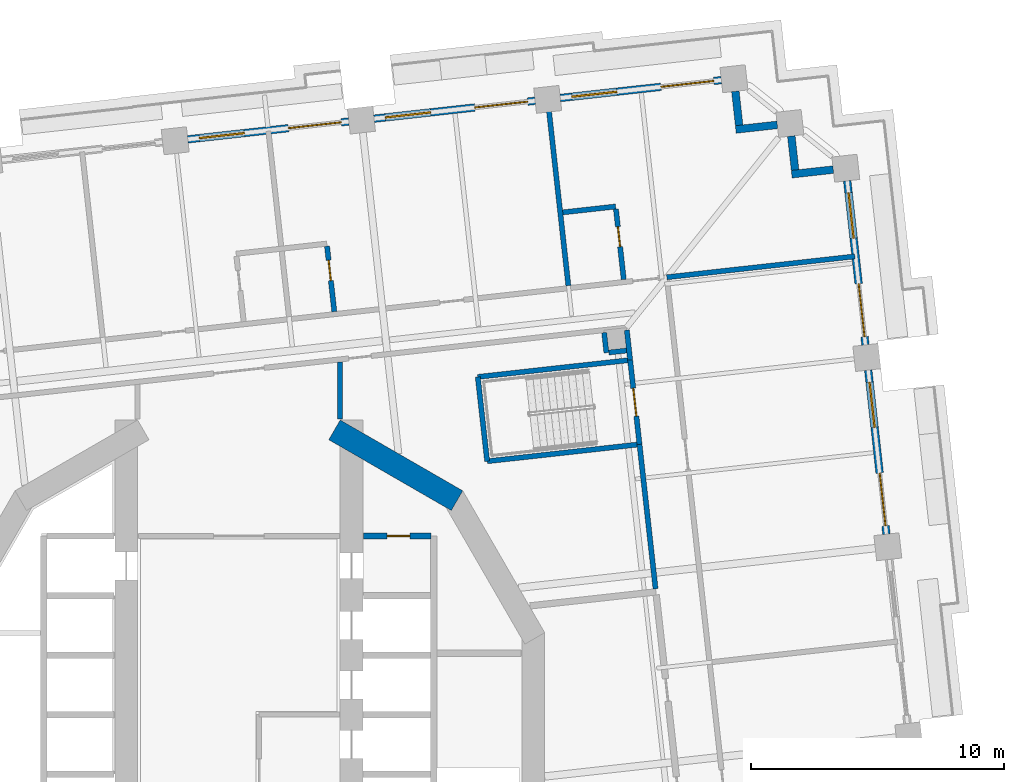
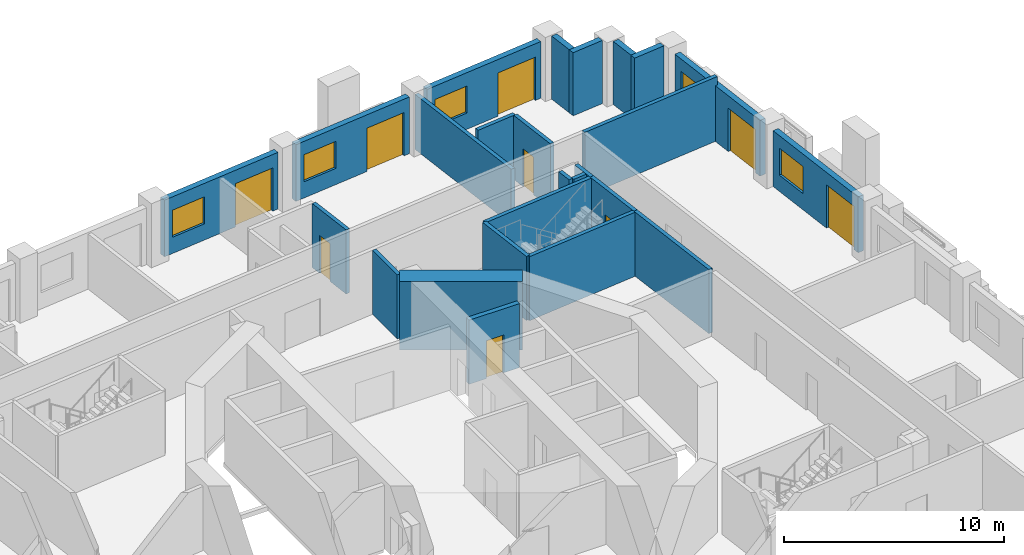
# One storey, part 9 of 18: 25 walls, 9 doors, 5 windows, 14 openings.
"""IFC4 building model written with IfcOpenShell, lengths in metres."""

from ifc_helpers import new_model, si_unit, direction, frame, frame_2d, origin, place, context, subcontext, project, spatial, rectangle, extrude, material, layer, layer_set, type_object, element, fill, save


model = new_model("IFC4")

# Units and contexts
model_context = context("Model", 3, precision=1e-05, world=origin(), true_north=direction((0.0, 1.0)))
body_context = subcontext(model_context, "Body", "Model", "MODEL_VIEW")
ifc_project = project(units=[si_unit("LENGTHUNIT", "METRE"), si_unit("AREAUNIT", "SQUARE_METRE"), si_unit("VOLUMEUNIT", "CUBIC_METRE"), si_unit("PLANEANGLEUNIT", "RADIAN"), si_unit("MASSUNIT", "GRAM", prefix="KILO")], contexts=[model_context])

# Site, building, storey
site_placement = place(None, origin())
site = spatial("IfcSite", under=ifc_project, at=site_placement, CompositionType="ELEMENT")
building_placement = place(site_placement, origin())
building = spatial("IfcBuilding", under=site, at=building_placement, Name="Cantera Rosa Tower", CompositionType="ELEMENT")
storey_placement = place(building_placement, frame((0.0, 0.0, 76.699951171875)))
storey = spatial("IfcBuildingStorey", under=building, at=storey_placement, Name="L16", CompositionType="ELEMENT", Elevation=76.699951171875)

# Walls
ifc_material_1 = material(Name="Gypsum board partition")
ifc_layer_1 = layer(ifc_material_1, 0.199951171875)
ifc_layer_set_1 = layer_set([ifc_layer_1], Name="CORRIDOR WALL 200 H3550")
wall_type_1 = type_object("IfcWallType", Name="CORRIDOR WALL 200 H3550", PredefinedType="PARTITIONING", material=ifc_layer_set_1)
wall_1_placement = place(storey_placement, frame((4.0, 11.667236328125, 0.0), z_axis=(0.0, 0.0, 1.0), x_axis=(0.0, 1.0, 0.0)))
element("IfcWall", 1, at=wall_1_placement, inside=storey, type_object=wall_type_1, Name="CORRIDOR WALL L16-060", PredefinedType="PARTITIONING", context=body_context, shape_type="SweptSolid", body=[
    extrude(rectangle(XDim=2.259765625, YDim=0.199951171875, at=frame_2d((1.1298828125, 0.0))), origin(), (0.0, 0.0, 1.0), 3.550048828125),
])
wall_2_placement = place(storey_placement, frame((15.44970703125, 14.001708984375, 0.0), z_axis=(0.0, 0.0, 1.0), x_axis=(-0.110341316069, 0.993893753863, 0.0)))
element("IfcWall", 2, at=wall_2_placement, inside=storey, type_object=wall_type_1, Name="CORRIDOR WALL L16-087", PredefinedType="PARTITIONING", context=body_context, shape_type="SweptSolid", body=[
    extrude(rectangle(XDim=1.188232421875, YDim=0.199951171875, at=frame_2d((0.59423828125, 0.0))), origin(), (0.0, 0.0, 1.0), 3.550048828125),
])
wall_3_placement = place(storey_placement, frame((16.45263671875, 4.965087890625, 0.0), z_axis=(0.0, 0.0, 1.0), x_axis=(-0.110291526896, 0.993899280156, 0.0)))
element("IfcWall", 3, at=wall_3_placement, inside=storey, type_object=wall_type_1, Name="CORRIDOR WALL L16-090", PredefinedType="PARTITIONING", context=body_context, shape_type="SweptSolid", body=[
    extrude(rectangle(XDim=5.741943359375, YDim=0.199951171875, at=frame_2d((2.87109375, 0.0))), origin(), (0.0, 0.0, 1.0), 3.550048828125),
])
ifc_material_2 = material(Name="Hollow clay masonry with cantera stone cladding", Category="masonry")
ifc_layer_2 = layer(ifc_material_2, 0.300048828125)
ifc_layer_set_2 = layer_set([ifc_layer_2], Name="EW-LOGGIA 300")
wall_type_2 = type_object("IfcWallType", Name="EW-LOGGIA 300", PredefinedType="SOLIDWALL", material=ifc_layer_set_2)
wall_4_placement = place(storey_placement, frame((23.46923828125, 21.520263671875, 0.0), z_axis=(0.0, 0.0, 1.0), x_axis=(-0.993905369514, -0.110236638423, 0.0)))
element("IfcWall", 4, at=wall_4_placement, inside=storey, type_object=wall_type_2, Name="EN-L16-W06a", PredefinedType="SOLIDWALL", context=body_context, shape_type="SweptSolid", body=[
    extrude(rectangle(XDim=1.64990234375, YDim=0.300048828125, at=frame_2d((0.824951171875, 0.0))), origin(), (0.0, 0.0, 1.0), 3.5),
])
wall_5_placement = place(storey_placement, frame((21.9619140625, 21.50390625, 0.0), z_axis=(0.0, 0.0, 1.0), x_axis=(-0.110312435488, 0.993896959738, 0.0)))
element("IfcWall", 5, at=wall_5_placement, inside=storey, type_object=wall_type_2, Name="EN-L16-W06b", PredefinedType="SOLIDWALL", context=body_context, shape_type="SweptSolid", body=[
    extrude(rectangle(XDim=1.35009765625, YDim=0.300048828125, at=frame_2d((0.675048828125, 0.0))), origin(), (0.0, 0.0, 1.0), 3.5),
])
wall_6_placement = place(storey_placement, frame((21.2607421875, 23.287353515625, 0.0), z_axis=(0.0, 0.0, 1.0), x_axis=(-0.993905369514, -0.110236638423, 0.0)))
element("IfcWall", 6, at=wall_6_placement, inside=storey, type_object=wall_type_2, Name="EN-L16-W07a", PredefinedType="SOLIDWALL", context=body_context, shape_type="SweptSolid", body=[
    extrude(rectangle(XDim=1.64990234375, YDim=0.300048828125, at=frame_2d((0.824951171875, 0.0))), origin(), (0.0, 0.0, 1.0), 3.5),
])
wall_7_placement = place(storey_placement, frame((19.75341796875, 23.27099609375, 0.0), z_axis=(0.0, 0.0, 1.0), x_axis=(-0.110312435488, 0.993896959738, 0.0)))
element("IfcWall", 7, at=wall_7_placement, inside=storey, type_object=wall_type_2, Name="EN-L16-W07b", PredefinedType="SOLIDWALL", context=body_context, shape_type="SweptSolid", body=[
    extrude(rectangle(XDim=1.35009765625, YDim=0.300048828125, at=frame_2d((0.675048828125, 0.0))), origin(), (0.0, 0.0, 1.0), 3.5),
])

# Wall, openings, window, door
ifc_material_3 = material(Name="Hollow clay masonry with cantera stone cladding", Category="masonry")
ifc_layer_3 = layer(ifc_material_3, 0.300048828125)
ifc_layer_set_3 = layer_set([ifc_layer_3], Name="EW-LOGGIA 300 H3090")
wall_type_3 = type_object("IfcWallType", Name="EW-LOGGIA 300 H3090", PredefinedType="SOLIDWALL", material=ifc_layer_set_3)
wall_8_placement = place(storey_placement, frame((25.570068359375, 7.124267578125, 0.0), z_axis=(0.0, 0.0, 1.0), x_axis=(-0.110312341265, 0.993896970196, 0.0)))
wall_8 = element("IfcWall", 8, at=wall_8_placement, inside=storey, type_object=wall_type_3, Name="EN-L16-W04", PredefinedType="SOLIDWALL", context=body_context, shape_type="SweptSolid", body=[
    extrude(rectangle(XDim=6.52001953125, YDim=0.300048828125, at=frame_2d((3.260009765625, 0.0))), origin(), (0.0, 0.0, 1.0), 3.090087890625),
])
opening_1_placement = place(wall_8_placement, frame((0.330078125, 0.0, 0.0)))
opening_1 = element("IfcOpeningElement", 9, at=opening_1_placement, cuts=wall_8, Name="Opening L16-TD07", PredefinedType="OPENING", context=body_context, shape_type="SweptSolid", body=[
    extrude(rectangle(XDim=2.10009765625, YDim=2.39990234375, at=frame_2d((1.050048828125, 1.199951171875))), frame((0.0, 0.159912109375, 0.0), z_axis=(0.0, -1.0, 0.0), x_axis=(1.0, 0.0, 0.0)), (0.0, 0.0, 1.0), 0.320068359375),
])
opening_2_placement = place(wall_8_placement, frame((4.239990234375, 0.0, 0.89990234375)))
opening_2 = element("IfcOpeningElement", 10, at=opening_2_placement, cuts=wall_8, Name="Opening L16-W08", PredefinedType="OPENING", context=body_context, shape_type="SweptSolid", body=[
    extrude(rectangle(XDim=1.800048828125, YDim=1.5, at=frame_2d((0.89990234375, 0.75))), frame((0.0, 0.159912109375, 0.0), z_axis=(0.0, -1.0, 0.0), x_axis=(1.0, 0.0, 0.0)), (0.0, 0.0, 1.0), 0.320068359375),
])
ifc_material_4 = material(Name="Aluminium frame with clear glass", Category="aluminium")
window_type = type_object("IfcWindowType", Name="Hotel room window 1800x1500", PartitioningType="DOUBLE_PANEL_VERTICAL", PredefinedType="WINDOW", material=ifc_material_4)
window_1_placement = place(opening_2_placement, origin())
window_1 = element("IfcWindow", 11, at=window_1_placement, inside=storey, type_object=window_type, Name="WINDOW L16-W08", OverallHeight=1.5, OverallWidth=1.800048828125, PartitioningType="SINGLE_PANEL", PredefinedType="WINDOW", context=body_context, shape_type="SweptSolid", body=[
    extrude(rectangle(XDim=1.800048828125, YDim=1.5, at=frame_2d((0.89990234375, 0.75))), frame((0.0, 0.030029296875, 0.0), z_axis=(0.0, -1.0, 0.0), x_axis=(1.0, 0.0, 0.0)), (0.0, 0.0, 1.0), 0.06005859375),
])
fill(opening_2, window_1)
ifc_material_5 = material(Name="Aluminium frame with clear glass", Category="aluminium")
door_type_1 = type_object("IfcDoorType", Name="TD-H 2100x2400", OperationType="NOTDEFINED", PredefinedType="DOOR", material=ifc_material_5)
door_1_placement = place(opening_1_placement, origin())
door_1 = element("IfcDoor", 12, at=door_1_placement, inside=storey, type_object=door_type_1, Name="LOGGIA DOOR L16-TD07", OperationType="SLIDING_TO_LEFT", OverallHeight=2.39990234375, OverallWidth=2.10009765625, PredefinedType="DOOR", context=body_context, shape_type="SweptSolid", body=[
    extrude(rectangle(XDim=2.10009765625, YDim=2.39990234375, at=frame_2d((1.050048828125, 1.199951171875))), frame((0.0, 0.02490234375, 0.0), z_axis=(0.0, -1.0, 0.0), x_axis=(1.0, 0.0, 0.0)), (0.0, 0.0, 1.0), 0.050048828125),
])
fill(opening_1, door_1)

wall_9_placement = place(storey_placement, frame((24.74072265625, 14.598388671875, 0.0), z_axis=(0.0, 0.0, 1.0), x_axis=(-0.110312341265, 0.993896970196, 0.0)))
wall_9 = element("IfcWall", 13, at=wall_9_placement, inside=storey, type_object=wall_type_3, Name="EN-L16-W05", PredefinedType="SOLIDWALL", context=body_context, shape_type="SweptSolid", body=[
    extrude(rectangle(XDim=6.52001953125, YDim=0.300048828125, at=frame_2d((3.260009765625, 0.0))), origin(), (0.0, 0.0, 1.0), 3.090087890625),
])
opening_3_placement = place(wall_9_placement, frame((0.330078125, 0.0, 0.0)))
opening_3 = element("IfcOpeningElement", 14, at=opening_3_placement, cuts=wall_9, Name="Opening L16-TD09", PredefinedType="OPENING", context=body_context, shape_type="SweptSolid", body=[
    extrude(rectangle(XDim=2.10009765625, YDim=2.39990234375, at=frame_2d((1.050048828125, 1.199951171875))), frame((0.0, 0.159912109375, 0.0), z_axis=(0.0, -1.0, 0.0), x_axis=(1.0, 0.0, 0.0)), (0.0, 0.0, 1.0), 0.320068359375),
])
opening_4_placement = place(wall_9_placement, frame((4.239990234375, 0.0, 0.89990234375)))
opening_4 = element("IfcOpeningElement", 15, at=opening_4_placement, cuts=wall_9, Name="Opening L16-W10", PredefinedType="OPENING", context=body_context, shape_type="SweptSolid", body=[
    extrude(rectangle(XDim=1.800048828125, YDim=1.5, at=frame_2d((0.89990234375, 0.75))), frame((0.0, 0.159912109375, 0.0), z_axis=(0.0, -1.0, 0.0), x_axis=(1.0, 0.0, 0.0)), (0.0, 0.0, 1.0), 0.320068359375),
])
window_2_placement = place(opening_4_placement, origin())
window_2 = element("IfcWindow", 16, at=window_2_placement, inside=storey, type_object=window_type, Name="WINDOW L16-W10", OverallHeight=1.5, OverallWidth=1.800048828125, PartitioningType="SINGLE_PANEL", PredefinedType="WINDOW", context=body_context, shape_type="SweptSolid", body=[
    extrude(rectangle(XDim=1.800048828125, YDim=1.5, at=frame_2d((0.89990234375, 0.75))), frame((0.0, 0.030029296875, 0.0), z_axis=(0.0, -1.0, 0.0), x_axis=(1.0, 0.0, 0.0)), (0.0, 0.0, 1.0), 0.06005859375),
])
fill(opening_4, window_2)
door_2_placement = place(opening_3_placement, origin())
door_2 = element("IfcDoor", 17, at=door_2_placement, inside=storey, type_object=door_type_1, Name="LOGGIA DOOR L16-TD09", OperationType="SLIDING_TO_LEFT", OverallHeight=2.39990234375, OverallWidth=2.10009765625, PredefinedType="DOOR", context=body_context, shape_type="SweptSolid", body=[
    extrude(rectangle(XDim=2.10009765625, YDim=2.39990234375, at=frame_2d((1.050048828125, 1.199951171875))), frame((0.0, 0.02490234375, 0.0), z_axis=(0.0, -1.0, 0.0), x_axis=(1.0, 0.0, 0.0)), (0.0, 0.0, 1.0), 0.050048828125),
])
fill(opening_3, door_2)

ifc_material_6 = material(Name="Hollow clay masonry with cantera stone cladding", Category="masonry")
ifc_layer_4 = layer(ifc_material_6, 0.300048828125)
ifc_layer_set_4 = layer_set([ifc_layer_4], Name="EW-LOGGIA 300 H3140")
wall_type_4 = type_object("IfcWallType", Name="EW-LOGGIA 300 H3140", PredefinedType="SOLIDWALL", material=ifc_layer_set_4)
wall_10_placement = place(storey_placement, frame((19.052490234375, 25.0546875, 0.0), z_axis=(0.0, 0.0, 1.0), x_axis=(-0.993896288542, -0.110318482689, 0.0)))
wall_10 = element("IfcWall", 18, at=wall_10_placement, inside=storey, type_object=wall_type_4, Name="EN-L16-W08", PredefinedType="SOLIDWALL", context=body_context, shape_type="SweptSolid", body=[
    extrude(rectangle(XDim=6.400146484375, YDim=0.300048828125, at=frame_2d((3.2001953125, 0.0))), origin(), (0.0, 0.0, 1.0), 3.14013671875),
])
opening_5_placement = place(wall_10_placement, frame((0.300048828125, 0.0, 0.0)))
opening_5 = element("IfcOpeningElement", 19, at=opening_5_placement, cuts=wall_10, Name="Opening L16-TD11", PredefinedType="OPENING", context=body_context, shape_type="SweptSolid", body=[
    extrude(rectangle(XDim=2.10009765625, YDim=2.39990234375, at=frame_2d((1.050048828125, 1.199951171875))), frame((0.0, 0.159912109375, 0.0), z_axis=(0.0, -1.0, 0.0), x_axis=(1.0, 0.0, 0.0)), (0.0, 0.0, 1.0), 0.320068359375),
])
opening_6_placement = place(wall_10_placement, frame((4.14990234375, 0.0, 0.89990234375)))
opening_6 = element("IfcOpeningElement", 20, at=opening_6_placement, cuts=wall_10, Name="Opening L16-W12", PredefinedType="OPENING", context=body_context, shape_type="SweptSolid", body=[
    extrude(rectangle(XDim=1.800048828125, YDim=1.5, at=frame_2d((0.89990234375, 0.75))), frame((0.0, 0.159912109375, 0.0), z_axis=(0.0, -1.0, 0.0), x_axis=(1.0, 0.0, 0.0)), (0.0, 0.0, 1.0), 0.320068359375),
])
window_3_placement = place(opening_6_placement, origin())
window_3 = element("IfcWindow", 21, at=window_3_placement, inside=storey, type_object=window_type, Name="WINDOW L16-W12", OverallHeight=1.5, OverallWidth=1.800048828125, PartitioningType="SINGLE_PANEL", PredefinedType="WINDOW", context=body_context, shape_type="SweptSolid", body=[
    extrude(rectangle(XDim=1.800048828125, YDim=1.5, at=frame_2d((0.89990234375, 0.75))), frame((0.0, 0.030029296875, 0.0), z_axis=(0.0, -1.0, 0.0), x_axis=(1.0, 0.0, 0.0)), (0.0, 0.0, 1.0), 0.06005859375),
])
fill(opening_6, window_3)
door_3_placement = place(opening_5_placement, origin())
door_3 = element("IfcDoor", 22, at=door_3_placement, inside=storey, type_object=door_type_1, Name="LOGGIA DOOR L16-TD11", OperationType="SLIDING_TO_LEFT", OverallHeight=2.39990234375, OverallWidth=2.10009765625, PredefinedType="DOOR", context=body_context, shape_type="SweptSolid", body=[
    extrude(rectangle(XDim=2.10009765625, YDim=2.39990234375, at=frame_2d((1.050048828125, 1.199951171875))), frame((0.0, 0.02490234375, 0.0), z_axis=(0.0, -1.0, 0.0), x_axis=(1.0, 0.0, 0.0)), (0.0, 0.0, 1.0), 0.050048828125),
])
fill(opening_5, door_3)

wall_11_placement = place(storey_placement, frame((11.697509765625, 24.23828125, 0.0), z_axis=(0.0, 0.0, 1.0), x_axis=(-0.993895824271, -0.110322665379, 0.0)))
wall_11 = element("IfcWall", 23, at=wall_11_placement, inside=storey, type_object=wall_type_4, Name="EN-L16-W09", PredefinedType="SOLIDWALL", context=body_context, shape_type="SweptSolid", body=[
    extrude(rectangle(XDim=6.39990234375, YDim=0.300048828125, at=frame_2d((3.199951171875, 0.0))), origin(), (0.0, 0.0, 1.0), 3.14013671875),
])
opening_7_placement = place(wall_11_placement, frame((0.300048828125, 0.0, 0.0)))
opening_7 = element("IfcOpeningElement", 24, at=opening_7_placement, cuts=wall_11, Name="Opening L16-TD13", PredefinedType="OPENING", context=body_context, shape_type="SweptSolid", body=[
    extrude(rectangle(XDim=2.10009765625, YDim=2.39990234375, at=frame_2d((1.050048828125, 1.199951171875))), frame((0.0, 0.159912109375, 0.0), z_axis=(0.0, -1.0, 0.0), x_axis=(1.0, 0.0, 0.0)), (0.0, 0.0, 1.0), 0.320068359375),
])
opening_8_placement = place(wall_11_placement, frame((4.14990234375, 0.0, 0.89990234375)))
opening_8 = element("IfcOpeningElement", 25, at=opening_8_placement, cuts=wall_11, Name="Opening L16-W14", PredefinedType="OPENING", context=body_context, shape_type="SweptSolid", body=[
    extrude(rectangle(XDim=1.800048828125, YDim=1.5, at=frame_2d((0.89990234375, 0.75))), frame((0.0, 0.159912109375, 0.0), z_axis=(0.0, -1.0, 0.0), x_axis=(1.0, 0.0, 0.0)), (0.0, 0.0, 1.0), 0.320068359375),
])
window_4_placement = place(opening_8_placement, origin())
window_4 = element("IfcWindow", 26, at=window_4_placement, inside=storey, type_object=window_type, Name="WINDOW L16-W14", OverallHeight=1.5, OverallWidth=1.800048828125, PartitioningType="SINGLE_PANEL", PredefinedType="WINDOW", context=body_context, shape_type="SweptSolid", body=[
    extrude(rectangle(XDim=1.800048828125, YDim=1.5, at=frame_2d((0.89990234375, 0.75))), frame((0.0, 0.030029296875, 0.0), z_axis=(0.0, -1.0, 0.0), x_axis=(1.0, 0.0, 0.0)), (0.0, 0.0, 1.0), 0.06005859375),
])
fill(opening_8, window_4)
door_4_placement = place(opening_7_placement, origin())
door_4 = element("IfcDoor", 27, at=door_4_placement, inside=storey, type_object=door_type_1, Name="LOGGIA DOOR L16-TD13", OperationType="SLIDING_TO_LEFT", OverallHeight=2.39990234375, OverallWidth=2.10009765625, PredefinedType="DOOR", context=body_context, shape_type="SweptSolid", body=[
    extrude(rectangle(XDim=2.10009765625, YDim=2.39990234375, at=frame_2d((1.050048828125, 1.199951171875))), frame((0.0, 0.02490234375, 0.0), z_axis=(0.0, -1.0, 0.0), x_axis=(1.0, 0.0, 0.0)), (0.0, 0.0, 1.0), 0.050048828125),
])
fill(opening_7, door_4)

wall_12_placement = place(storey_placement, frame((4.3427734375, 23.422119140625, 0.0), z_axis=(0.0, 0.0, 1.0), x_axis=(-0.993895824271, -0.110322665379, 0.0)))
wall_12 = element("IfcWall", 28, at=wall_12_placement, inside=storey, type_object=wall_type_4, Name="EN-L16-W10", PredefinedType="SOLIDWALL", context=body_context, shape_type="SweptSolid", body=[
    extrude(rectangle(XDim=6.39990234375, YDim=0.300048828125, at=frame_2d((3.199951171875, 0.0))), origin(), (0.0, 0.0, 1.0), 3.14013671875),
])
opening_9_placement = place(wall_12_placement, frame((0.300048828125, 0.0, 0.0)))
opening_9 = element("IfcOpeningElement", 29, at=opening_9_placement, cuts=wall_12, Name="Opening L16-TD15", PredefinedType="OPENING", context=body_context, shape_type="SweptSolid", body=[
    extrude(rectangle(XDim=2.10009765625, YDim=2.39990234375, at=frame_2d((1.050048828125, 1.199951171875))), frame((0.0, 0.159912109375, 0.0), z_axis=(0.0, -1.0, 0.0), x_axis=(1.0, 0.0, 0.0)), (0.0, 0.0, 1.0), 0.320068359375),
])
opening_10_placement = place(wall_12_placement, frame((4.14990234375, 0.0, 0.89990234375)))
opening_10 = element("IfcOpeningElement", 30, at=opening_10_placement, cuts=wall_12, Name="Opening L16-W16", PredefinedType="OPENING", context=body_context, shape_type="SweptSolid", body=[
    extrude(rectangle(XDim=1.800048828125, YDim=1.5, at=frame_2d((0.89990234375, 0.75))), frame((0.0, 0.159912109375, 0.0), z_axis=(0.0, -1.0, 0.0), x_axis=(1.0, 0.0, 0.0)), (0.0, 0.0, 1.0), 0.320068359375),
])
window_5_placement = place(opening_10_placement, origin())
window_5 = element("IfcWindow", 31, at=window_5_placement, inside=storey, type_object=window_type, Name="WINDOW L16-W16", OverallHeight=1.5, OverallWidth=1.800048828125, PartitioningType="SINGLE_PANEL", PredefinedType="WINDOW", context=body_context, shape_type="SweptSolid", body=[
    extrude(rectangle(XDim=1.800048828125, YDim=1.5, at=frame_2d((0.89990234375, 0.75))), frame((0.0, 0.030029296875, 0.0), z_axis=(0.0, -1.0, 0.0), x_axis=(1.0, 0.0, 0.0)), (0.0, 0.0, 1.0), 0.06005859375),
])
fill(opening_10, window_5)
door_5_placement = place(opening_9_placement, origin())
door_5 = element("IfcDoor", 32, at=door_5_placement, inside=storey, type_object=door_type_1, Name="LOGGIA DOOR L16-TD15", OperationType="SLIDING_TO_LEFT", OverallHeight=2.39990234375, OverallWidth=2.10009765625, PredefinedType="DOOR", context=body_context, shape_type="SweptSolid", body=[
    extrude(rectangle(XDim=2.10009765625, YDim=2.39990234375, at=frame_2d((1.050048828125, 1.199951171875))), frame((0.0, 0.02490234375, 0.0), z_axis=(0.0, -1.0, 0.0), x_axis=(1.0, 0.0, 0.0)), (0.0, 0.0, 1.0), 0.050048828125),
])
fill(opening_9, door_5)

# Wall, opening, door
ifc_material_7 = material(Name="Gypsum board partition")
ifc_layer_5 = layer(ifc_material_7, 0.199951171875)
ifc_layer_set_5 = layer_set([ifc_layer_5], Name="PARTITION 200 H3550")
wall_type_5 = type_object("IfcWallType", Name="PARTITION 200 H3550", PredefinedType="PARTITIONING", material=ifc_layer_set_5)
wall_13_placement = place(storey_placement, frame((3.480712890625, 18.496826171875, 0.0), z_axis=(0.0, 0.0, 1.0), x_axis=(0.110328468272, -0.993895180132, 0.0)))
wall_13 = element("IfcWall", 33, at=wall_13_placement, inside=storey, type_object=wall_type_5, Name="PARTITION L16-055", PredefinedType="PARTITIONING", context=body_context, shape_type="SweptSolid", body=[
    extrude(rectangle(XDim=2.60009765625, YDim=0.199951171875, at=frame_2d((1.300048828125, 0.0))), origin(), (0.0, 0.0, 1.0), 3.550048828125),
])
opening_11_placement = place(wall_13_placement, frame((0.56396484375, 0.0, 0.0)))
opening_11 = element("IfcOpeningElement", 34, at=opening_11_placement, cuts=wall_13, Name="Opening L16-021", PredefinedType="OPENING", context=body_context, shape_type="SweptSolid", body=[
    extrude(rectangle(XDim=0.800048828125, YDim=2.10009765625, at=frame_2d((0.39990234375, 1.050048828125))), frame((0.0, 0.10986328125, 0.0), z_axis=(0.0, -1.0, 0.0), x_axis=(1.0, 0.0, 0.0)), (0.0, 0.0, 1.0), 0.219970703125),
])
ifc_material_8 = material(Name="Timber door leaf", Category="wood")
door_type_2 = type_object("IfcDoorType", Name="BATHROOM DOOR 800x2100", OperationType="NOTDEFINED", PredefinedType="DOOR", material=ifc_material_8)
door_6_placement = place(opening_11_placement, origin())
door_6 = element("IfcDoor", 35, at=door_6_placement, inside=storey, type_object=door_type_2, Name="DOOR L16-021", OperationType="NOTDEFINED", OverallHeight=2.10009765625, OverallWidth=0.800048828125, PredefinedType="DOOR", context=body_context, shape_type="SweptSolid", body=[
    extrude(rectangle(XDim=0.800048828125, YDim=2.10009765625, at=frame_2d((0.39990234375, 1.050048828125))), frame((0.0, 0.02490234375, 0.0), z_axis=(0.0, -1.0, 0.0), x_axis=(1.0, 0.0, 0.0)), (0.0, 0.0, 1.0), 0.050048828125),
])
fill(opening_11, door_6)

# Walls
wall_14_placement = place(storey_placement, frame((12.790283203125, 19.83203125, 0.0), z_axis=(0.0, 0.0, 1.0), x_axis=(0.993895071737, 0.11032944474, 0.0)))
element("IfcWall", 36, at=wall_14_placement, inside=storey, type_object=wall_type_5, Name="PARTITION L16-077", PredefinedType="PARTITIONING", context=body_context, shape_type="SweptSolid", body=[
    extrude(rectangle(XDim=2.10009765625, YDim=0.199951171875, at=frame_2d((1.050048828125, 0.0))), origin(), (0.0, 0.0, 1.0), 3.550048828125),
])
wall_15_placement = place(storey_placement, frame((14.42431640625, 15.083251953125, 0.0), z_axis=(0.0, 0.0, 1.0), x_axis=(0.110163574714, -0.993913470482, 0.0)))
element("IfcWall", 37, at=wall_15_placement, inside=storey, type_object=wall_type_5, Name="PARTITION L16-079", PredefinedType="PARTITIONING", context=body_context, shape_type="SweptSolid", body=[
    extrude(rectangle(XDim=0.800048828125, YDim=0.199951171875, at=frame_2d((0.39990234375, 0.0))), origin(), (0.0, 0.0, 1.0), 3.550048828125),
])
wall_16_placement = place(storey_placement, frame((14.61181640625, 14.299072265625, 0.0), z_axis=(0.0, 0.0, 1.0), x_axis=(0.993870969748, 0.110546349969, 0.0)))
element("IfcWall", 38, at=wall_16_placement, inside=storey, type_object=wall_type_5, Name="PARTITION L16-080", PredefinedType="PARTITIONING", context=body_context, shape_type="SweptSolid", body=[
    extrude(rectangle(XDim=0.7001953125, YDim=0.199951171875, at=frame_2d((0.35009765625, 0.0))), origin(), (0.0, 0.0, 1.0), 3.550048828125),
])

# Wall, opening, door
wall_17_placement = place(storey_placement, frame((14.888671875, 19.964111328125, 0.0), z_axis=(0.0, 0.0, 1.0), x_axis=(0.110307106705, -0.993897551164, 0.0)))
wall_17 = element("IfcWall", 39, at=wall_17_placement, inside=storey, type_object=wall_type_5, Name="PARTITION L16-081", PredefinedType="PARTITIONING", context=body_context, shape_type="SweptSolid", body=[
    extrude(rectangle(XDim=2.7998046875, YDim=0.199951171875, at=frame_2d((1.39990234375, 0.0))), origin(), (0.0, 0.0, 1.0), 3.550048828125),
])
opening_12_placement = place(wall_17_placement, frame((0.699951171875, 0.0, 0.0)))
opening_12 = element("IfcOpeningElement", 40, at=opening_12_placement, cuts=wall_17, Name="Opening L16-028", PredefinedType="OPENING", context=body_context, shape_type="SweptSolid", body=[
    extrude(rectangle(XDim=0.800048828125, YDim=2.10009765625, at=frame_2d((0.39990234375, 1.050048828125))), frame((0.0, 0.10986328125, 0.0), z_axis=(0.0, -1.0, 0.0), x_axis=(1.0, 0.0, 0.0)), (0.0, 0.0, 1.0), 0.219970703125),
])
door_7_placement = place(opening_12_placement, origin())
door_7 = element("IfcDoor", 41, at=door_7_placement, inside=storey, type_object=door_type_2, Name="DOOR L16-028", OperationType="NOTDEFINED", OverallHeight=2.10009765625, OverallWidth=0.800048828125, PredefinedType="DOOR", context=body_context, shape_type="SweptSolid", body=[
    extrude(rectangle(XDim=0.800048828125, YDim=2.10009765625, at=frame_2d((0.39990234375, 1.050048828125))), frame((0.0, 0.02490234375, 0.0), z_axis=(0.0, -1.0, 0.0), x_axis=(1.0, 0.0, 0.0)), (0.0, 0.0, 1.0), 0.050048828125),
])
fill(opening_12, door_7)

# Walls
ifc_material_9 = material(Name="Gypsum board partition")
ifc_layer_6 = layer(ifc_material_9, 0.199951171875)
ifc_layer_set_6 = layer_set([ifc_layer_6], Name="PARTY WALL 200 H3050")
wall_type_6 = type_object("IfcWallType", Name="PARTY WALL 200 H3050", PredefinedType="PARTITIONING", material=ifc_layer_set_6)
wall_18_placement = place(storey_placement, frame((12.197998046875, 24.263671875, 0.0), z_axis=(0.0, 0.0, 1.0), x_axis=(0.11031154238, -0.993897058864, 0.0)))
element("IfcWall", 42, at=wall_18_placement, inside=storey, type_object=wall_type_6, Name="PARTY WALL L16-076", PredefinedType="PARTITIONING", context=body_context, shape_type="SweptSolid", body=[
    extrude(rectangle(XDim=7.369873046875, YDim=0.199951171875, at=frame_2d((3.68505859375, 0.0))), origin(), (0.0, 0.0, 1.0), 3.050048828125),
])
ifc_material_10 = material(Name="Gypsum board partition")
ifc_layer_7 = layer(ifc_material_10, 0.199951171875)
ifc_layer_set_7 = layer_set([ifc_layer_7], Name="PARTY WALL 200 H3550")
wall_type_7 = type_object("IfcWallType", Name="PARTY WALL 200 H3550", PredefinedType="PARTITIONING", material=ifc_layer_set_7)
wall_19_placement = place(storey_placement, frame((16.898193359375, 17.26953125, 0.0), z_axis=(0.0, 0.0, 1.0), x_axis=(0.993897676912, 0.110305973679, 0.0)))
element("IfcWall", 43, at=wall_19_placement, inside=storey, type_object=wall_type_7, Name="PARTY WALL L16-092", PredefinedType="PARTITIONING", context=body_context, shape_type="SweptSolid", body=[
    extrude(rectangle(XDim=7.469970703125, YDim=0.199951171875, at=frame_2d((3.73486328125, 0.0))), origin(), (0.0, 0.0, 1.0), 3.550048828125),
])
ifc_material_11 = material(Name="Concrete C70/85", Category="concrete")
ifc_layer_8 = layer(ifc_material_11, 0.89990234375)
ifc_layer_set_8 = layer_set([ifc_layer_8], Name="RC CORE WALL 900 C70/85")
wall_type_8 = type_object("IfcWallType", Name="RC CORE WALL 900 C70/85", PredefinedType="SHEAR", material=ifc_layer_set_8)
wall_20_placement = place(storey_placement, frame((3.77490234375, 11.242919921875, 0.0), z_axis=(0.0, 0.0, 1.0), x_axis=(0.866026961591, -0.49999730179, 0.0)))
element("IfcWall", 44, at=wall_20_placement, inside=storey, type_object=wall_type_8, Name="CW-E1 L16", PredefinedType="SHEAR", context=body_context, shape_type="SweptSolid", body=[
    extrude(rectangle(XDim=5.58740234375, YDim=0.89990234375, at=frame_2d((2.793701171875, 0.0))), origin(), (0.0, 0.0, 1.0), 3.800048828125),
])

# Wall, opening, door
ifc_material_12 = material(Name="Masonry blockwork", Category="masonry")
ifc_layer_9 = layer(ifc_material_12, 0.25)
ifc_layer_set_9 = layer_set([ifc_layer_9], Name="SHAFT WALL 250 H3550")
wall_type_9 = type_object("IfcWallType", Name="SHAFT WALL 250 H3550", PredefinedType="SOLIDWALL", material=ifc_layer_set_9)
wall_21_placement = place(storey_placement, frame((7.580078125, 7.050048828125, 0.0), z_axis=(0.0, 0.0, 1.0), x_axis=(-1.0, 0.0, 0.0)))
wall_21 = element("IfcWall", 45, at=wall_21_placement, inside=storey, type_object=wall_type_9, Name="SHAFT WALL L16-070", PredefinedType="SOLIDWALL", context=body_context, shape_type="SweptSolid", body=[
    extrude(rectangle(XDim=2.650146484375, YDim=0.25, at=frame_2d((1.3251953125, 0.0))), origin(), (0.0, 0.0, 1.0), 3.550048828125),
])
opening_13_placement = place(wall_21_placement, frame((0.830078125, 0.0, 0.0)))
opening_13 = element("IfcOpeningElement", 46, at=opening_13_placement, cuts=wall_21, Name="Opening L16-045", PredefinedType="OPENING", context=body_context, shape_type="SweptSolid", body=[
    extrude(rectangle(XDim=0.89990234375, YDim=2.10009765625, at=frame_2d((0.449951171875, 1.050048828125))), frame((0.0, 0.135009765625, 0.0), z_axis=(0.0, -1.0, 0.0), x_axis=(1.0, 0.0, 0.0)), (0.0, 0.0, 1.0), 0.27001953125),
])
ifc_material_13 = material(Name="Timber door leaf", Category="wood")
door_type_3 = type_object("IfcDoorType", Name="SERVICE DOOR 900x2100", OperationType="NOTDEFINED", PredefinedType="DOOR", material=ifc_material_13)
door_8_placement = place(opening_13_placement, origin())
door_8 = element("IfcDoor", 47, at=door_8_placement, inside=storey, type_object=door_type_3, Name="RISER DOOR L16-045", OperationType="NOTDEFINED", OverallHeight=2.10009765625, OverallWidth=0.89990234375, PredefinedType="DOOR", context=body_context, shape_type="SweptSolid", body=[
    extrude(rectangle(XDim=0.89990234375, YDim=2.10009765625, at=frame_2d((0.449951171875, 1.050048828125))), frame((0.0, 0.02490234375, 0.0), z_axis=(0.0, -1.0, 0.0), x_axis=(1.0, 0.0, 0.0)), (0.0, 0.0, 1.0), 0.050048828125),
])
fill(opening_13, door_8)

# Walls
ifc_material_14 = material(Name="Concrete C50/60", Category="concrete")
ifc_layer_10 = layer(ifc_material_14, 0.199951171875)
ifc_layer_set_10 = layer_set([ifc_layer_10], Name="STAIR WALL 200 H3550")
wall_type_10 = type_object("IfcWallType", Name="STAIR WALL 200 H3550", PredefinedType="SOLIDWALL", material=ifc_layer_set_10)
wall_22_placement = place(storey_placement, frame((9.43359375, 13.333740234375, 0.0), z_axis=(0.0, 0.0, 1.0), x_axis=(0.11027153821, -0.993901498067, 0.0)))
element("IfcWall", 48, at=wall_22_placement, inside=storey, type_object=wall_type_10, Name="STAIR WALL L16-074", PredefinedType="SOLIDWALL", context=body_context, shape_type="SweptSolid", body=[
    extrude(rectangle(XDim=3.349853515625, YDim=0.199951171875, at=frame_2d((1.6748046875, 0.0))), origin(), (0.0, 0.0, 1.0), 3.550048828125),
])
wall_23_placement = place(storey_placement, frame((9.802978515625, 10.00439453125, 0.0), z_axis=(0.0, 0.0, 1.0), x_axis=(0.993897498792, 0.11030757859, 0.0)))
element("IfcWall", 49, at=wall_23_placement, inside=storey, type_object=wall_type_10, Name="STAIR WALL L16-075", PredefinedType="SOLIDWALL", context=body_context, shape_type="SweptSolid", body=[
    extrude(rectangle(XDim=6.05322265625, YDim=0.199951171875, at=frame_2d((3.026611328125, 0.0))), origin(), (0.0, 0.0, 1.0), 3.550048828125),
])
wall_24_placement = place(storey_placement, frame((15.44970703125, 14.001708984375, 0.0), z_axis=(0.0, 0.0, 1.0), x_axis=(-0.993892585125, -0.110351842907, 0.0)))
element("IfcWall", 50, at=wall_24_placement, inside=storey, type_object=wall_type_10, Name="STAIR WALL L16-086", PredefinedType="SOLIDWALL", context=body_context, shape_type="SweptSolid", body=[
    extrude(rectangle(XDim=6.052978515625, YDim=0.199951171875, at=frame_2d((3.0263671875, 0.0))), origin(), (0.0, 0.0, 1.0), 3.550048828125),
])

# Wall, opening, door
wall_25_placement = place(storey_placement, frame((15.8193359375, 10.672119140625, 0.0), z_axis=(0.0, 0.0, 1.0), x_axis=(-0.110335541424, 0.993894394943, 0.0)))
wall_25 = element("IfcWall", 51, at=wall_25_placement, inside=storey, type_object=wall_type_10, Name="STAIR WALL L16-088", PredefinedType="SOLIDWALL", context=body_context, shape_type="SweptSolid", body=[
    extrude(rectangle(XDim=3.35009765625, YDim=0.199951171875, at=frame_2d((1.675048828125, 0.0))), origin(), (0.0, 0.0, 1.0), 3.550048828125),
])
opening_14_placement = place(wall_25_placement, frame((1.125, 0.0, 0.0)))
opening_14 = element("IfcOpeningElement", 52, at=opening_14_placement, cuts=wall_25, Name="Opening L16-001", PredefinedType="OPENING", context=body_context, shape_type="SweptSolid", body=[
    extrude(rectangle(XDim=1.10009765625, YDim=2.10009765625, at=frame_2d((0.550048828125, 1.050048828125))), frame((0.0, 0.10986328125, 0.0), z_axis=(0.0, -1.0, 0.0), x_axis=(1.0, 0.0, 0.0)), (0.0, 0.0, 1.0), 0.219970703125),
])
ifc_material_15 = material(Name="Steel S355J2 (EN 10025-2)", Category="steel")
door_type_4 = type_object("IfcDoorType", Name="STAIR DOOR 1100x2100", OperationType="NOTDEFINED", PredefinedType="DOOR", material=ifc_material_15)
door_9_placement = place(opening_14_placement, origin())
door_9 = element("IfcDoor", 53, at=door_9_placement, inside=storey, type_object=door_type_4, Name="DOOR L16-001", OperationType="NOTDEFINED", OverallHeight=2.10009765625, OverallWidth=1.10009765625, PredefinedType="DOOR", context=body_context, shape_type="SweptSolid", body=[
    extrude(rectangle(XDim=1.10009765625, YDim=2.10009765625, at=frame_2d((0.550048828125, 1.050048828125))), frame((0.0, 0.02490234375, 0.0), z_axis=(0.0, -1.0, 0.0), x_axis=(1.0, 0.0, 0.0)), (0.0, 0.0, 1.0), 0.050048828125),
])
fill(opening_14, door_9)

save(model, "model.ifc")
